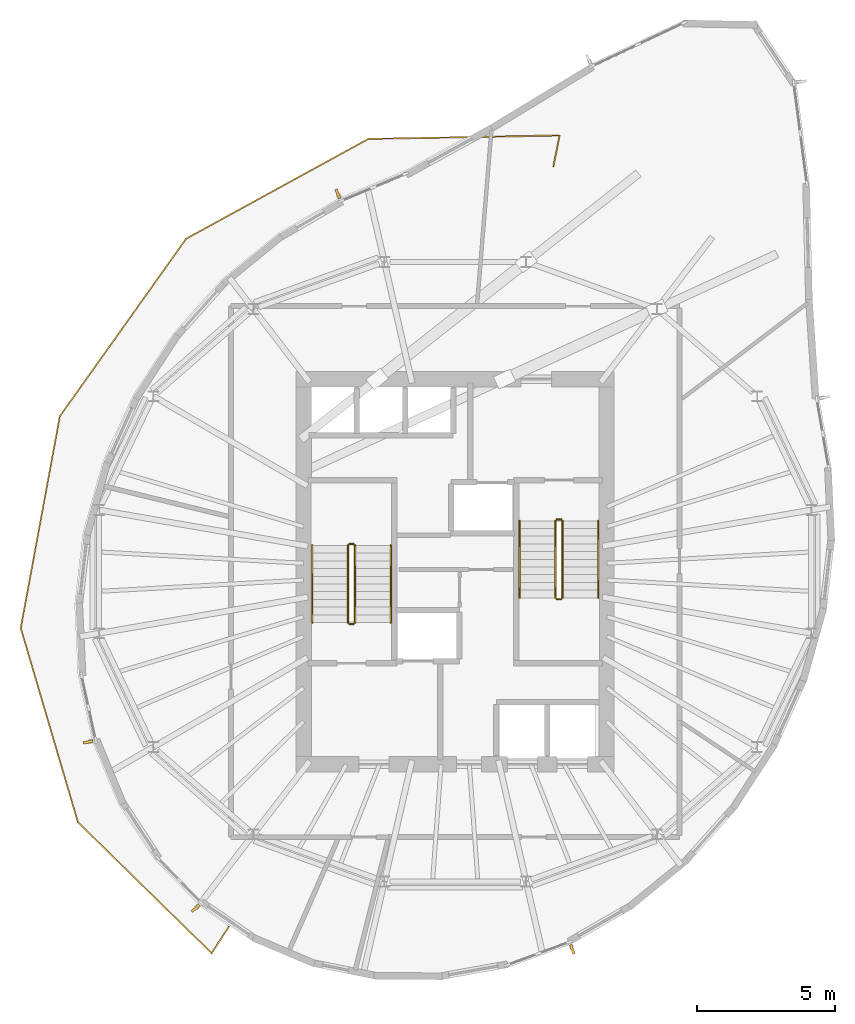
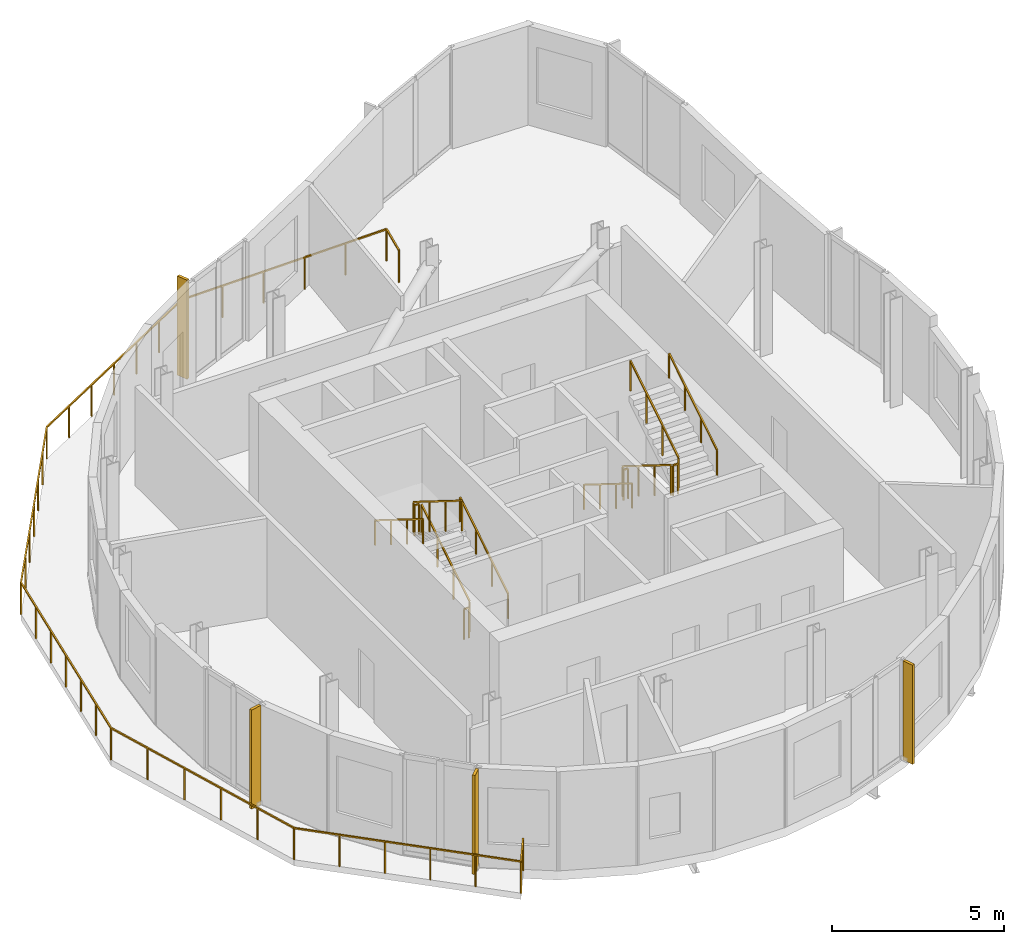
# One storey, part 7 of 8: 13 railings, 4 shading devices.
"""IFC4 building model written with IfcOpenShell, lengths in metres."""

from ifc_helpers import new_model, si_unit, direction, frame, origin, origin_2d, place, context, subcontext, project, spatial, rectangle, extrude, material, layer, layer_set, type_object, element, save


model = new_model("IFC4")

# Units and contexts
model_context = context("Model", 3, precision=1e-05, world=origin(), true_north=direction((0.0, 1.0)))
body_context = subcontext(model_context, "Body", "Model", "MODEL_VIEW")
ifc_project = project(units=[si_unit("LENGTHUNIT", "METRE"), si_unit("AREAUNIT", "SQUARE_METRE"), si_unit("VOLUMEUNIT", "CUBIC_METRE"), si_unit("PLANEANGLEUNIT", "RADIAN"), si_unit("MASSUNIT", "GRAM", prefix="KILO")], contexts=[model_context])

# Site, building, storey
site_placement = place(None, origin())
site = spatial("IfcSite", under=ifc_project, at=site_placement, CompositionType="ELEMENT")
building_placement = place(site_placement, origin())
building = spatial("IfcBuilding", under=site, at=building_placement, Name="Veldorim Arch Residences", CompositionType="ELEMENT")
storey_placement = place(building_placement, frame((0.0, 0.0, 243.0400390625)))
storey = spatial("IfcBuildingStorey", under=building, at=storey_placement, Name="L73", CompositionType="ELEMENT", Elevation=243.0400390625)

# Railings
ifc_material_1 = material(Name="Aluminium", Category="aluminium")
railing_type_1 = type_object("IfcRailingType", Name="Balcony & Terrace Laminated Glass Balustrade 1150", PredefinedType="BALUSTRADE", material=ifc_material_1)
railing_1_placement = place(storey_placement, frame((35.56689453125, 38.729736328125, 0.0)))
element("IfcRailing", 1, at=railing_1_placement, inside=storey, type_object=railing_type_1, Name="L73 crescent balcony safety balustrade A", PredefinedType="BALUSTRADE", context=body_context, shape_type="SweptSolid", body=[
    extrude(rectangle(XDim=0.048095703125, YDim=0.048095703125, at=origin_2d()), frame((0.0, 0.0, 1.1259765625), z_axis=(0.199136381159, 0.979971786175, 0.0), x_axis=(-0.979971786175, 0.199136381159, 0.0)), (0.0, 0.0, 1.0), 1.14990234375),
    extrude(rectangle(XDim=0.048095703125, YDim=0.048095703125, at=origin_2d()), frame((0.22900390625, 1.126953125, 1.1259765625), z_axis=(-0.999842928997, -0.017723355651, 0.0), x_axis=(0.017723355651, -0.999842928997, 0.0)), (0.0, 0.0, 1.0), 6.956298828125),
    extrude(rectangle(XDim=0.048095703125, YDim=0.048095703125, at=origin_2d()), frame((-6.726318359375, 1.003662109375, 1.1259765625), z_axis=(-0.876992528036, -0.480504012229, 0.0), x_axis=(0.480504012229, -0.876992528036, 0.0)), (0.0, 0.0, 1.0), 7.555419921875),
    extrude(rectangle(XDim=0.048095703125, YDim=0.048095703125, at=origin_2d()), frame((-13.352294921875, -2.626708984375, 1.1259765625), z_axis=(-0.579679842439, -0.814844328857, 0.0), x_axis=(0.814844328857, -0.579679842439, 0.0)), (0.0, 0.0, 1.0), 7.919189453125),
    extrude(rectangle(XDim=0.048095703125, YDim=0.048095703125, at=origin_2d()), frame((-17.94287109375, -9.07958984375, 1.1259765625), z_axis=(-0.18149646162, -0.983391597696, 0.0), x_axis=(0.983391597696, -0.18149646162, 0.0)), (0.0, 0.0, 1.0), 7.83154296875),
    extrude(rectangle(XDim=0.048095703125, YDim=0.048095703125, at=origin_2d()), frame((-19.3642578125, -16.781005859375, 1.1259765625), z_axis=(0.282601078261, -0.959237525624, 0.0), x_axis=(0.959237525624, 0.282601078261, 0.0)), (0.0, 0.0, 1.0), 7.35693359375),
    extrude(rectangle(XDim=0.048095703125, YDim=0.048095703125, at=origin_2d()), frame((-17.28515625, -23.838134765625, 1.1259765625), z_axis=(0.714259441365, -0.699881025904, 0.0), x_axis=(0.699881025904, 0.714259441365, 0.0)), (0.0, 0.0, 1.0), 6.808837890625),
    extrude(rectangle(XDim=0.048095703125, YDim=0.048095703125, at=origin_2d()), frame((-12.421875, -28.603515625, 1.1259765625), z_axis=(0.545898544902, 0.83785128673, 0.0), x_axis=(-0.83785128673, 0.545898544902, 0.0)), (0.0, 0.0, 1.0), 1.14990234375),
    extrude(rectangle(XDim=0.0419921875, YDim=0.0419921875, at=origin_2d()), origin(), (0.0, 0.0, 1.0), 1.101806640625),
    extrude(rectangle(XDim=0.0419921875, YDim=0.0419921875, at=origin_2d()), frame((0.22900390625, 1.126953125, 0.0)), (0.0, 0.0, 1.0), 1.101806640625),
    extrude(rectangle(XDim=0.0419921875, YDim=0.0419921875, at=origin_2d()), frame((-1.162109375, 1.102294921875, 0.0)), (0.0, 0.0, 1.0), 1.101806640625),
    extrude(rectangle(XDim=0.0419921875, YDim=0.0419921875, at=origin_2d()), frame((-2.55322265625, 1.07763671875, 0.0)), (0.0, 0.0, 1.0), 1.101806640625),
    extrude(rectangle(XDim=0.0419921875, YDim=0.0419921875, at=origin_2d()), frame((-3.944091796875, 1.052978515625, 0.0)), (0.0, 0.0, 1.0), 1.101806640625),
    extrude(rectangle(XDim=0.0419921875, YDim=0.0419921875, at=origin_2d()), frame((-5.335205078125, 1.0283203125, 0.0)), (0.0, 0.0, 1.0), 1.101806640625),
    extrude(rectangle(XDim=0.0419921875, YDim=0.0419921875, at=origin_2d()), frame((-6.726318359375, 1.003662109375, 0.0)), (0.0, 0.0, 1.0), 1.101806640625),
    extrude(rectangle(XDim=0.0419921875, YDim=0.0419921875, at=origin_2d()), frame((-7.83056640625, 0.398681640625, 0.0)), (0.0, 0.0, 1.0), 1.101806640625),
    extrude(rectangle(XDim=0.0419921875, YDim=0.0419921875, at=origin_2d()), frame((-8.93505859375, -0.20654296875, 0.0)), (0.0, 0.0, 1.0), 1.101806640625),
    extrude(rectangle(XDim=0.0419921875, YDim=0.0419921875, at=origin_2d()), frame((-10.039306640625, -0.8115234375, 0.0)), (0.0, 0.0, 1.0), 1.101806640625),
    extrude(rectangle(XDim=0.0419921875, YDim=0.0419921875, at=origin_2d()), frame((-11.1435546875, -1.41650390625, 0.0)), (0.0, 0.0, 1.0), 1.101806640625),
    extrude(rectangle(XDim=0.0419921875, YDim=0.0419921875, at=origin_2d()), frame((-12.248046875, -2.021728515625, 0.0)), (0.0, 0.0, 1.0), 1.101806640625),
    extrude(rectangle(XDim=0.0419921875, YDim=0.0419921875, at=origin_2d()), frame((-13.352294921875, -2.626708984375, 0.0)), (0.0, 0.0, 1.0), 1.101806640625),
    extrude(rectangle(XDim=0.0419921875, YDim=0.0419921875, at=origin_2d()), frame((-14.117431640625, -3.7021484375, 0.0)), (0.0, 0.0, 1.0), 1.101806640625),
    extrude(rectangle(XDim=0.0419921875, YDim=0.0419921875, at=origin_2d()), frame((-14.882568359375, -4.777587890625, 0.0)), (0.0, 0.0, 1.0), 1.101806640625),
    extrude(rectangle(XDim=0.0419921875, YDim=0.0419921875, at=origin_2d()), frame((-15.6474609375, -5.85302734375, 0.0)), (0.0, 0.0, 1.0), 1.101806640625),
    extrude(rectangle(XDim=0.0419921875, YDim=0.0419921875, at=origin_2d()), frame((-16.41259765625, -6.9287109375, 0.0)), (0.0, 0.0, 1.0), 1.101806640625),
    extrude(rectangle(XDim=0.0419921875, YDim=0.0419921875, at=origin_2d()), frame((-17.177734375, -8.004150390625, 0.0)), (0.0, 0.0, 1.0), 1.101806640625),
    extrude(rectangle(XDim=0.0419921875, YDim=0.0419921875, at=origin_2d()), frame((-17.94287109375, -9.07958984375, 0.0)), (0.0, 0.0, 1.0), 1.101806640625),
    extrude(rectangle(XDim=0.0419921875, YDim=0.0419921875, at=origin_2d()), frame((-18.1796875, -10.36328125, 0.0)), (0.0, 0.0, 1.0), 1.101806640625),
    extrude(rectangle(XDim=0.0419921875, YDim=0.0419921875, at=origin_2d()), frame((-18.416748046875, -11.646728515625, 0.0)), (0.0, 0.0, 1.0), 1.101806640625),
    extrude(rectangle(XDim=0.0419921875, YDim=0.0419921875, at=origin_2d()), frame((-18.653564453125, -12.93017578125, 0.0)), (0.0, 0.0, 1.0), 1.101806640625),
    extrude(rectangle(XDim=0.0419921875, YDim=0.0419921875, at=origin_2d()), frame((-18.890380859375, -14.2138671875, 0.0)), (0.0, 0.0, 1.0), 1.101806640625),
    extrude(rectangle(XDim=0.0419921875, YDim=0.0419921875, at=origin_2d()), frame((-19.12744140625, -15.49755859375, 0.0)), (0.0, 0.0, 1.0), 1.101806640625),
    extrude(rectangle(XDim=0.0419921875, YDim=0.0419921875, at=origin_2d()), frame((-19.3642578125, -16.781005859375, 0.0)), (0.0, 0.0, 1.0), 1.101806640625),
    extrude(rectangle(XDim=0.0419921875, YDim=0.0419921875, at=origin_2d()), frame((-18.948486328125, -18.1923828125, 0.0)), (0.0, 0.0, 1.0), 1.101806640625),
    extrude(rectangle(XDim=0.0419921875, YDim=0.0419921875, at=origin_2d()), frame((-18.53271484375, -19.603759765625, 0.0)), (0.0, 0.0, 1.0), 1.101806640625),
    extrude(rectangle(XDim=0.0419921875, YDim=0.0419921875, at=origin_2d()), frame((-18.11669921875, -21.015380859375, 0.0)), (0.0, 0.0, 1.0), 1.101806640625),
    extrude(rectangle(XDim=0.0419921875, YDim=0.0419921875, at=origin_2d()), frame((-17.700927734375, -22.4267578125, 0.0)), (0.0, 0.0, 1.0), 1.101806640625),
    extrude(rectangle(XDim=0.0419921875, YDim=0.0419921875, at=origin_2d()), frame((-17.28515625, -23.838134765625, 0.0)), (0.0, 0.0, 1.0), 1.101806640625),
    extrude(rectangle(XDim=0.0419921875, YDim=0.0419921875, at=origin_2d()), frame((-16.3125, -24.791259765625, 0.0)), (0.0, 0.0, 1.0), 1.101806640625),
    extrude(rectangle(XDim=0.0419921875, YDim=0.0419921875, at=origin_2d()), frame((-15.33984375, -25.744384765625, 0.0)), (0.0, 0.0, 1.0), 1.101806640625),
    extrude(rectangle(XDim=0.0419921875, YDim=0.0419921875, at=origin_2d()), frame((-14.3671875, -26.697265625, 0.0)), (0.0, 0.0, 1.0), 1.101806640625),
    extrude(rectangle(XDim=0.0419921875, YDim=0.0419921875, at=origin_2d()), frame((-13.39453125, -27.650390625, 0.0)), (0.0, 0.0, 1.0), 1.101806640625),
    extrude(rectangle(XDim=0.0419921875, YDim=0.0419921875, at=origin_2d()), frame((-12.421875, -28.603515625, 0.0)), (0.0, 0.0, 1.0), 1.101806640625),
    extrude(rectangle(XDim=0.0419921875, YDim=0.0419921875, at=origin_2d()), frame((-11.794189453125, -27.64013671875, 0.0)), (0.0, 0.0, 1.0), 1.101806640625),
])
ifc_material_2 = material(Name="Steel S355", Category="steel")
railing_type_2 = type_object("IfcRailingType", Name="Galvanised Steel Stair Safety Guardrail 1100", PredefinedType="GUARDRAIL", material=ifc_material_2)
railing_2_placement = place(storey_placement, frame((28.360107421875, 22.14990234375, 0.174560546875)))
element("IfcRailing", 2, at=railing_2_placement, inside=storey, type_object=railing_type_2, Name="L73 ST-1 stair guard 1", PredefinedType="GUARDRAIL", context=body_context, shape_type="SweptSolid", body=[
    extrude(rectangle(XDim=0.048095703125, YDim=0.048095703125, at=origin_2d()), frame((0.0, 0.0, 1.076171875), z_axis=(0.0, 0.848633706653, 0.52898093721), x_axis=(-1.0, 0.0, 0.0)), (0.0, 0.0, 1.0), 3.299560546875),
    extrude(rectangle(XDim=0.0419921875, YDim=0.0419921875, at=origin_2d()), origin(), (0.0, 0.0, 1.0), 1.052001953125),
    extrude(rectangle(XDim=0.0419921875, YDim=0.0419921875, at=origin_2d()), frame((0.0, 0.933349609375, 0.581787109375)), (0.0, 0.0, 1.0), 1.052001953125),
    extrude(rectangle(XDim=0.0419921875, YDim=0.0419921875, at=origin_2d()), frame((0.0, 1.86669921875, 1.16357421875)), (0.0, 0.0, 1.0), 1.052001953125),
    extrude(rectangle(XDim=0.0419921875, YDim=0.0419921875, at=origin_2d()), frame((0.0, 2.800048828125, 1.745361328125)), (0.0, 0.0, 1.0), 1.052001953125),
])
railing_3_placement = place(storey_placement, frame((28.31005859375, 25.0, 1.919921875)))
element("IfcRailing", 3, at=railing_3_placement, inside=storey, type_object=railing_type_2, Name="L73 ST-1 stair guard 2", PredefinedType="GUARDRAIL", context=body_context, shape_type="SweptSolid", body=[
    extrude(rectangle(XDim=0.048095703125, YDim=0.048095703125, at=origin_2d()), frame((0.0, 0.0, 1.076171875), z_axis=(-1.0, 0.0, 0.0), x_axis=(0.0, -1.0, 0.0)), (0.0, 0.0, 1.0), 0.16015625),
    extrude(rectangle(XDim=0.0419921875, YDim=0.0419921875, at=origin_2d()), origin(), (0.0, 0.0, 1.0), 1.052001953125),
    extrude(rectangle(XDim=0.0419921875, YDim=0.0419921875, at=origin_2d()), frame((-0.16015625, 0.0, 0.0)), (0.0, 0.0, 1.0), 1.052001953125),
])
railing_4_placement = place(storey_placement, frame((28.10009765625, 24.949951171875, 2.094482421875)))
element("IfcRailing", 4, at=railing_4_placement, inside=storey, type_object=railing_type_2, Name="L73 ST-1 stair guard 3", PredefinedType="GUARDRAIL", context=body_context, shape_type="SweptSolid", body=[
    extrude(rectangle(XDim=0.048095703125, YDim=0.048095703125, at=origin_2d()), frame((0.0, 0.0, 1.076171875), z_axis=(0.0, -0.848633706653, 0.52898093721), x_axis=(1.0, 0.0, 0.0)), (0.0, 0.0, 1.0), 3.299560546875),
    extrude(rectangle(XDim=0.0419921875, YDim=0.0419921875, at=origin_2d()), origin(), (0.0, 0.0, 1.0), 1.052001953125),
    extrude(rectangle(XDim=0.0419921875, YDim=0.0419921875, at=origin_2d()), frame((0.0, -0.933349609375, 0.581787109375)), (0.0, 0.0, 1.0), 1.052001953125),
    extrude(rectangle(XDim=0.0419921875, YDim=0.0419921875, at=origin_2d()), frame((0.0, -1.86669921875, 1.16357421875)), (0.0, 0.0, 1.0), 1.052001953125),
    extrude(rectangle(XDim=0.0419921875, YDim=0.0419921875, at=origin_2d()), frame((0.0, -2.800048828125, 1.745361328125)), (0.0, 0.0, 1.0), 1.052001953125),
])
railing_5_placement = place(storey_placement, frame((28.31005859375, 22.10009765625, 0.0)))
element("IfcRailing", 5, at=railing_5_placement, inside=storey, type_object=railing_type_2, Name="L73 ST-1 stair guard 4", PredefinedType="GUARDRAIL", context=body_context, shape_type="SweptSolid", body=[
    extrude(rectangle(XDim=0.048095703125, YDim=0.048095703125, at=origin_2d()), frame((0.0, 0.0, 1.076171875), z_axis=(-1.0, 0.0, 0.0), x_axis=(0.0, -1.0, 0.0)), (0.0, 0.0, 1.0), 0.16015625),
    extrude(rectangle(XDim=0.0419921875, YDim=0.0419921875, at=origin_2d()), origin(), (0.0, 0.0, 1.0), 1.052001953125),
    extrude(rectangle(XDim=0.0419921875, YDim=0.0419921875, at=origin_2d()), frame((-0.16015625, 0.0, 0.0)), (0.0, 0.0, 1.0), 1.052001953125),
])
railing_6_placement = place(storey_placement, frame((35.639892578125, 25.85009765625, 0.174560546875)))
element("IfcRailing", 6, at=railing_6_placement, inside=storey, type_object=railing_type_2, Name="L73 ST-2 stair guard 1", PredefinedType="GUARDRAIL", context=body_context, shape_type="SweptSolid", body=[
    extrude(rectangle(XDim=0.048095703125, YDim=0.048095703125, at=origin_2d()), frame((0.0, 0.0, 1.076171875), z_axis=(0.0, -0.848633706653, 0.52898093721), x_axis=(1.0, 0.0, 0.0)), (0.0, 0.0, 1.0), 3.299560546875),
    extrude(rectangle(XDim=0.0419921875, YDim=0.0419921875, at=origin_2d()), origin(), (0.0, 0.0, 1.0), 1.052001953125),
    extrude(rectangle(XDim=0.0419921875, YDim=0.0419921875, at=origin_2d()), frame((0.0, -0.933349609375, 0.581787109375)), (0.0, 0.0, 1.0), 1.052001953125),
    extrude(rectangle(XDim=0.0419921875, YDim=0.0419921875, at=origin_2d()), frame((0.0, -1.86669921875, 1.16357421875)), (0.0, 0.0, 1.0), 1.052001953125),
    extrude(rectangle(XDim=0.0419921875, YDim=0.0419921875, at=origin_2d()), frame((0.0, -2.800048828125, 1.745361328125)), (0.0, 0.0, 1.0), 1.052001953125),
])
railing_7_placement = place(storey_placement, frame((35.68994140625, 23.0, 1.919921875)))
element("IfcRailing", 7, at=railing_7_placement, inside=storey, type_object=railing_type_2, Name="L73 ST-2 stair guard 2", PredefinedType="GUARDRAIL", context=body_context, shape_type="SweptSolid", body=[
    extrude(rectangle(XDim=0.048095703125, YDim=0.048095703125, at=origin_2d()), frame((0.0, 0.0, 1.076171875), z_axis=(1.0, 0.0, 0.0), x_axis=(0.0, 1.0, 0.0)), (0.0, 0.0, 1.0), 0.16015625),
    extrude(rectangle(XDim=0.0419921875, YDim=0.0419921875, at=origin_2d()), origin(), (0.0, 0.0, 1.0), 1.052001953125),
    extrude(rectangle(XDim=0.0419921875, YDim=0.0419921875, at=origin_2d()), frame((0.16015625, 0.0, 0.0)), (0.0, 0.0, 1.0), 1.052001953125),
])
railing_8_placement = place(storey_placement, frame((35.89990234375, 23.050048828125, 2.094482421875)))
element("IfcRailing", 8, at=railing_8_placement, inside=storey, type_object=railing_type_2, Name="L73 ST-2 stair guard 3", PredefinedType="GUARDRAIL", context=body_context, shape_type="SweptSolid", body=[
    extrude(rectangle(XDim=0.048095703125, YDim=0.048095703125, at=origin_2d()), frame((0.0, 0.0, 1.076171875), z_axis=(0.0, 0.848633706653, 0.52898093721), x_axis=(-1.0, 0.0, 0.0)), (0.0, 0.0, 1.0), 3.299560546875),
    extrude(rectangle(XDim=0.0419921875, YDim=0.0419921875, at=origin_2d()), origin(), (0.0, 0.0, 1.0), 1.052001953125),
    extrude(rectangle(XDim=0.0419921875, YDim=0.0419921875, at=origin_2d()), frame((0.0, 0.933349609375, 0.581787109375)), (0.0, 0.0, 1.0), 1.052001953125),
    extrude(rectangle(XDim=0.0419921875, YDim=0.0419921875, at=origin_2d()), frame((0.0, 1.86669921875, 1.16357421875)), (0.0, 0.0, 1.0), 1.052001953125),
    extrude(rectangle(XDim=0.0419921875, YDim=0.0419921875, at=origin_2d()), frame((0.0, 2.800048828125, 1.745361328125)), (0.0, 0.0, 1.0), 1.052001953125),
])
railing_9_placement = place(storey_placement, frame((35.68994140625, 25.89990234375, 0.0)))
element("IfcRailing", 9, at=railing_9_placement, inside=storey, type_object=railing_type_2, Name="L73 ST-2 stair guard 4", PredefinedType="GUARDRAIL", context=body_context, shape_type="SweptSolid", body=[
    extrude(rectangle(XDim=0.048095703125, YDim=0.048095703125, at=origin_2d()), frame((0.0, 0.0, 1.076171875), z_axis=(1.0, 0.0, 0.0), x_axis=(0.0, 1.0, 0.0)), (0.0, 0.0, 1.0), 0.16015625),
    extrude(rectangle(XDim=0.0419921875, YDim=0.0419921875, at=origin_2d()), origin(), (0.0, 0.0, 1.0), 1.052001953125),
    extrude(rectangle(XDim=0.0419921875, YDim=0.0419921875, at=origin_2d()), frame((0.16015625, 0.0, 0.0)), (0.0, 0.0, 1.0), 1.052001953125),
])
ifc_material_3 = material(Name="Stainless Steel", Category="steel")
railing_type_3 = type_object("IfcRailingType", Name="Tubular Steel Continuous Wall Handrail 900", PredefinedType="HANDRAIL", material=ifc_material_3)
railing_10_placement = place(storey_placement, frame((29.659912109375, 22.14990234375, 0.174560546875)))
element("IfcRailing", 10, at=railing_10_placement, inside=storey, type_object=railing_type_3, Name="L73 ST-1 stair handrail 1", PredefinedType="HANDRAIL", context=body_context, shape_type="SweptSolid", body=[
    extrude(rectangle(XDim=0.048095703125, YDim=0.048095703125, at=origin_2d()), frame((0.0, 0.0, 0.8759765625), z_axis=(0.0, 0.848633706653, 0.52898093721), x_axis=(-1.0, 0.0, 0.0)), (0.0, 0.0, 1.0), 3.299560546875),
    extrude(rectangle(XDim=0.0419921875, YDim=0.0419921875, at=origin_2d()), origin(), (0.0, 0.0, 1.0), 0.851806640625),
    extrude(rectangle(XDim=0.0419921875, YDim=0.0419921875, at=origin_2d()), frame((0.0, 0.933349609375, 0.581787109375)), (0.0, 0.0, 1.0), 0.851806640625),
    extrude(rectangle(XDim=0.0419921875, YDim=0.0419921875, at=origin_2d()), frame((0.0, 1.86669921875, 1.16357421875)), (0.0, 0.0, 1.0), 0.851806640625),
    extrude(rectangle(XDim=0.0419921875, YDim=0.0419921875, at=origin_2d()), frame((0.0, 2.800048828125, 1.745361328125)), (0.0, 0.0, 1.0), 0.851806640625),
])
for number, where, name in (
    (11, (26.800048828125, 24.949951171875, 2.094482421875), "L73 ST-1 stair handrail 2"),
    (12, (34.340087890625, 25.85009765625, 0.174560546875), "L73 ST-2 stair handrail 1"),
):
    element("IfcRailing", number, at=place(storey_placement, frame(where)), inside=storey, type_object=railing_type_3, Name=name, PredefinedType="HANDRAIL", context=body_context, shape_type="SweptSolid", body=[
        extrude(rectangle(XDim=0.048095703125, YDim=0.048095703125, at=origin_2d()), frame((0.0, 0.0, 0.8759765625), z_axis=(0.0, -0.848633706653, 0.52898093721), x_axis=(1.0, 0.0, 0.0)), (0.0, 0.0, 1.0), 3.299560546875),
        extrude(rectangle(XDim=0.0419921875, YDim=0.0419921875, at=origin_2d()), origin(), (0.0, 0.0, 1.0), 0.851806640625),
        extrude(rectangle(XDim=0.0419921875, YDim=0.0419921875, at=origin_2d()), frame((0.0, -0.933349609375, 0.581787109375)), (0.0, 0.0, 1.0), 0.851806640625),
        extrude(rectangle(XDim=0.0419921875, YDim=0.0419921875, at=origin_2d()), frame((0.0, -1.86669921875, 1.16357421875)), (0.0, 0.0, 1.0), 0.851806640625),
        extrude(rectangle(XDim=0.0419921875, YDim=0.0419921875, at=origin_2d()), frame((0.0, -2.800048828125, 1.745361328125)), (0.0, 0.0, 1.0), 0.851806640625),
    ])
railing_11_placement = place(storey_placement, frame((37.199951171875, 23.050048828125, 2.094482421875)))
element("IfcRailing", 13, at=railing_11_placement, inside=storey, type_object=railing_type_3, Name="L73 ST-2 stair handrail 2", PredefinedType="HANDRAIL", context=body_context, shape_type="SweptSolid", body=[
    extrude(rectangle(XDim=0.048095703125, YDim=0.048095703125, at=origin_2d()), frame((0.0, 0.0, 0.8759765625), z_axis=(0.0, 0.848633706653, 0.52898093721), x_axis=(-1.0, 0.0, 0.0)), (0.0, 0.0, 1.0), 3.299560546875),
    extrude(rectangle(XDim=0.0419921875, YDim=0.0419921875, at=origin_2d()), origin(), (0.0, 0.0, 1.0), 0.851806640625),
    extrude(rectangle(XDim=0.0419921875, YDim=0.0419921875, at=origin_2d()), frame((0.0, 0.933349609375, 0.581787109375)), (0.0, 0.0, 1.0), 0.851806640625),
    extrude(rectangle(XDim=0.0419921875, YDim=0.0419921875, at=origin_2d()), frame((0.0, 1.86669921875, 1.16357421875)), (0.0, 0.0, 1.0), 0.851806640625),
    extrude(rectangle(XDim=0.0419921875, YDim=0.0419921875, at=origin_2d()), frame((0.0, 2.800048828125, 1.745361328125)), (0.0, 0.0, 1.0), 0.851806640625),
])

# Shading devices
ifc_material_4 = material(Name="Terracotta Ceramic", Category="masonry")
ifc_layer = layer(ifc_material_4, 0.090087890625, Name="Vertical Extruded Terracotta Baguette Sun-Shading Fin")
ifc_layer_set = layer_set([ifc_layer], Name="Terracotta Ceramic")
shading_device_type = type_object("IfcShadingDeviceType", Name="Vertical Extruded Terracotta Baguette Sun-Shading Fin", PredefinedType="USERDEFINED", material=ifc_layer_set)
for number, where, z_axis, x_axis, name in (
    (14, (27.7353515625, 37.731689453125, 0.0), (0.0, 0.0, 1.0), (0.92199836388, 0.387193771905, 0.0), "L73 vertical terracotta sun-shading fin 05"),
    (15, (18.6572265625, 17.810302734375, 0.0), (0.0, 0.0, 1.0), (-0.213371426534, 0.976971153279, 0.0), "L73 vertical terracotta sun-shading fin 14"),
    (16, (22.5625, 11.7666015625, 0.0), (0.0, 0.0, 1.0), (-0.697039967731, 0.717032274995, 0.0), "L73 vertical terracotta sun-shading fin 17"),
    (17, (36.256103515625, 10.266845703125, 0.0), (0.0, 0.0, 1.0), (-0.937828368633, -0.347099338788, 0.0), "L73 vertical terracotta sun-shading fin 23"),
):
    element("IfcShadingDevice", number, at=place(storey_placement, frame(where, z_axis=z_axis, x_axis=x_axis)), inside=storey, type_object=shading_device_type, Name=name, ObjectType="FIN", PredefinedType="USERDEFINED", context=body_context, shape_type="SweptSolid", body=[
        extrude(rectangle(XDim=0.090087890625, YDim=0.360107421875, at=origin_2d()), origin(), (0.0, 0.0, 1.0), 3.52001953125),
    ])

save(model, "model.ifc")
